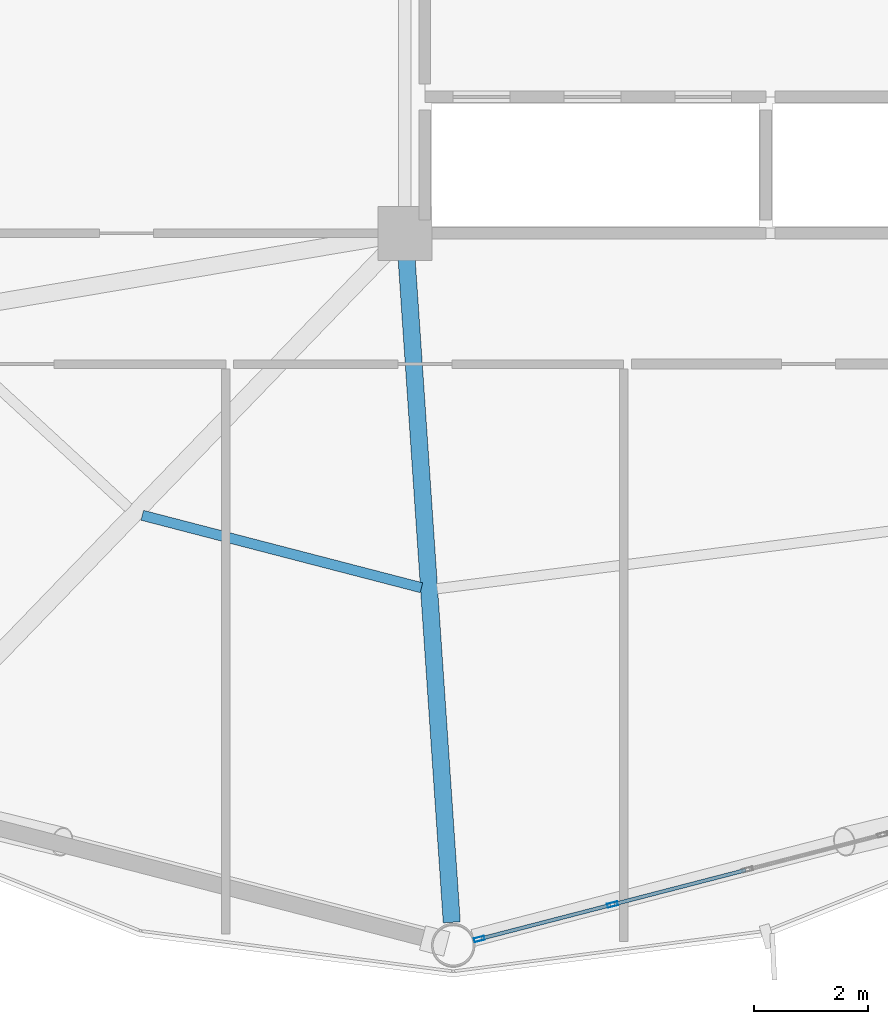
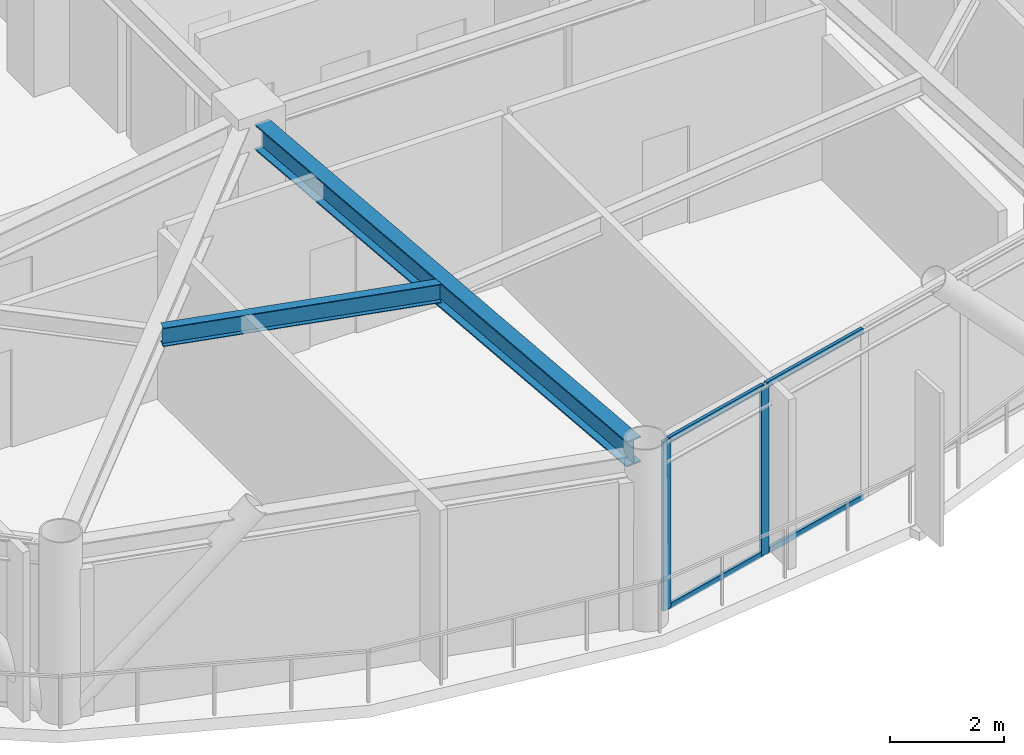
# One storey, part 7 of 25: 6 members, 2 beams, 1 element without a shape of its own.
"""IFC4 building model written with IfcOpenShell, lengths in metres."""

from ifc_helpers import new_model, si_unit, direction, frame, origin, origin_2d, place, context, subcontext, project, spatial, hollow_rectangle, i_section, extrude, material, layer, layer_set, material_profile, profile_set, type_object, element, aggregate, save


model = new_model("IFC4")

# Units and contexts
model_context = context("Model", 3, precision=1e-05, world=origin(), true_north=direction((0.0, 1.0)))
body_context = subcontext(model_context, "Body", "Model", "MODEL_VIEW")
ifc_project = project(units=[si_unit("LENGTHUNIT", "METRE"), si_unit("AREAUNIT", "SQUARE_METRE"), si_unit("VOLUMEUNIT", "CUBIC_METRE"), si_unit("PLANEANGLEUNIT", "RADIAN"), si_unit("MASSUNIT", "GRAM", prefix="KILO")], contexts=[model_context])

# Site, building, storey
site_placement = place(None, origin())
site = spatial("IfcSite", under=ifc_project, at=site_placement, CompositionType="ELEMENT")
building_placement = place(site_placement, origin())
building = spatial("IfcBuilding", under=site, at=building_placement, Name="Varnakorn Sky Granary", CompositionType="ELEMENT")
storey_placement = place(building_placement, frame((0.0, 0.0, 146.10009765625)))
storey = spatial("IfcBuildingStorey", under=building, at=storey_placement, Name="L36", CompositionType="ELEMENT", Elevation=146.10009765625)

# Beams
ifc_material_1 = material(Name="Steel S355JR", Category="steel")
ifc_material_profile_1 = material_profile(ifc_material_1, i_section(OverallWidth=0.300048828125, OverallDepth=0.550048828125, WebThickness=0.014892578125, FlangeThickness=0.029052734375, at=origin_2d()), Name="HE 550 B")
ifc_profile_set_1 = profile_set([ifc_material_profile_1], Name="Steel S355JR")
beam_type_1 = type_object("IfcBeamType", Name="BM-RAD-Z3", PredefinedType="BEAM", material=ifc_profile_set_1)
beam_1_placement = place(storey_placement, frame((-2.321533203125, -7.01904296875, 3.364990234375), z_axis=(0.067908540636, -0.997691550585, 0.0), x_axis=(0.997691550585, 0.067908540636, 0.0)))
element("IfcBeam", 1, at=beam_1_placement, inside=storey, type_object=beam_type_1, Name="Radial Floor Girder RG10 L36", PredefinedType="BEAM", context=body_context, shape_type="SweptSolid", body=[
    extrude(i_section(OverallWidth=0.300048828125, OverallDepth=0.550048828125, WebThickness=0.014892578125, FlangeThickness=0.029052734375, at=origin_2d()), origin(), (0.0, 0.0, 1.0), 11.73095703125),
])
ifc_material_profile_2 = material_profile(ifc_material_1, i_section(OverallWidth=0.179931640625, OverallDepth=0.39990234375, WebThickness=0.008544921875, FlangeThickness=0.013427734375, at=origin_2d()), Name="IPE 400")
ifc_profile_set_2 = profile_set([ifc_material_profile_2], Name="Steel S355JR")
beam_type_2 = type_object("IfcBeamType", Name="BM-SEC-Z3", PredefinedType="BEAM", material=ifc_profile_set_2)
beam_2_placement = place(storey_placement, frame((-6.97021484375, -11.5615234375, 3.43994140625), z_axis=(0.967959224695, -0.251107425872, 0.0), x_axis=(0.251107425872, 0.967959224695, 0.0)))
element("IfcBeam", 2, at=beam_2_placement, inside=storey, type_object=beam_type_2, Name="Secondary Floor Chord Beam MSB09 L36", PredefinedType="BEAM", context=body_context, shape_type="SweptSolid", body=[
    extrude(i_section(OverallWidth=0.179931640625, OverallDepth=0.39990234375, WebThickness=0.008544921875, FlangeThickness=0.013427734375, at=origin_2d()), origin(), (0.0, 0.0, 1.0), 5.07421875),
])

# Curtain wall, members
ifc_material_2 = material(Name="Anodised Bronze Aluminium Alloy 6063-T6", Category="aluminium")
ifc_layer = layer(ifc_material_2, 0.179931640625, Name="Anodised Bronze Aluminium Alloy 6063-T6")
ifc_layer_set = layer_set([ifc_layer], Name="Anodised Bronze Aluminium Alloy 6063-T6")
curtain_wall_type = type_object("IfcCurtainWallType", Name="CW-FRM-2", PredefinedType="USERDEFINED", material=ifc_layer_set)
curtain_wall_placement = place(storey_placement, origin())
curtain_wall = element("IfcCurtainWall", 3, at=curtain_wall_placement, inside=storey, type_object=curtain_wall_type, Name="Unitised Curtain Wall CW4 CW-L36-B10", ObjectType="CURTAIN WALL", PredefinedType="USERDEFINED")
ifc_material_profile_3 = material_profile(ifc_material_2, hollow_rectangle(XDim=0.070068359375, YDim=0.18505859375, WallThickness=0.00390625, at=origin_2d()), Name="ALU MULL 70x185")
ifc_profile_set_3 = profile_set([ifc_material_profile_3], Name="Anodised Bronze Aluminium Alloy 6063-T6")
member_type_1 = type_object("IfcMemberType", Name="CW-FRM-2-MULL", PredefinedType="MULLION", material=ifc_profile_set_3)
member_1_placement = place(storey_placement, frame((1.302734375, -18.41064453125, 0.0), z_axis=(0.0, 0.0, 1.0), x_axis=(0.250559125851, -0.968101298653, 0.0)))
member_1 = element("IfcMember", 4, at=member_1_placement, type_object=member_type_1, Name="CW4 mullion 4", PredefinedType="MULLION", context=body_context, shape_type="SweptSolid", body=[
    extrude(hollow_rectangle(XDim=0.070068359375, YDim=0.18505859375, WallThickness=0.00390625, at=origin_2d()), origin(), (0.0, 0.0, 1.0), 3.639892578125),
])
member_2_placement = place(storey_placement, frame((-1.039306640625, -19.016845703125, 0.0), z_axis=(0.0, 0.0, 1.0), x_axis=(0.250559125851, -0.968101298653, 0.0)))
member_2 = element("IfcMember", 5, at=member_2_placement, type_object=member_type_1, Name="CW4 mullion 5", PredefinedType="MULLION", context=body_context, shape_type="SweptSolid", body=[
    extrude(hollow_rectangle(XDim=0.070068359375, YDim=0.18505859375, WallThickness=0.00390625, at=origin_2d()), origin(), (0.0, 0.0, 1.0), 3.639892578125),
])
ifc_material_profile_4 = material_profile(ifc_material_2, hollow_rectangle(XDim=0.06494140625, YDim=0.1201171875, WallThickness=0.00341796875, at=origin_2d()), Name="ALU TRAN 65x120")
ifc_profile_set_4 = profile_set([ifc_material_profile_4], Name="Anodised Bronze Aluminium Alloy 6063-T6")
member_type_2 = type_object("IfcMemberType", Name="CW-FRM-2-TRAN", PredefinedType="USERDEFINED", material=ifc_profile_set_4)
member_3_placement = place(storey_placement, frame((3.644775390625, -17.804443359375, 0.032470703125), z_axis=(-0.968097247162, -0.250574779332, 0.0), x_axis=(0.250574779332, -0.968097247162, 0.0)))
member_3 = element("IfcMember", 6, at=member_3_placement, type_object=member_type_2, Name="CW4 transom 3.1", ObjectType="TRANSOM", PredefinedType="USERDEFINED", context=body_context, shape_type="SweptSolid", body=[
    extrude(hollow_rectangle(XDim=0.06494140625, YDim=0.1201171875, WallThickness=0.00341796875, at=origin_2d()), origin(), (0.0, 0.0, 1.0), 2.38427734375),
])
member_4_placement = place(storey_placement, frame((3.644775390625, -17.804443359375, 3.607421875), z_axis=(-0.968097247162, -0.250574779332, 0.0), x_axis=(0.250574779332, -0.968097247162, 0.0)))
member_4 = element("IfcMember", 7, at=member_4_placement, type_object=member_type_2, Name="CW4 transom 3.2", ObjectType="TRANSOM", PredefinedType="USERDEFINED", context=body_context, shape_type="SweptSolid", body=[
    extrude(hollow_rectangle(XDim=0.06494140625, YDim=0.1201171875, WallThickness=0.00341796875, at=origin_2d()), origin(), (0.0, 0.0, 1.0), 2.38427734375),
])
member_5_placement = place(storey_placement, frame((1.26904296875, -18.41943359375, 0.032470703125), z_axis=(-0.968104334199, -0.250547396925, 0.0), x_axis=(0.250547396925, -0.968104334199, 0.0)))
member_5 = element("IfcMember", 8, at=member_5_placement, type_object=member_type_2, Name="CW4 transom 4.1", ObjectType="TRANSOM", PredefinedType="USERDEFINED", context=body_context, shape_type="SweptSolid", body=[
    extrude(hollow_rectangle(XDim=0.06494140625, YDim=0.1201171875, WallThickness=0.00341796875, at=origin_2d()), origin(), (0.0, 0.0, 1.0), 2.349365234375),
])
member_6_placement = place(storey_placement, frame((1.26904296875, -18.41943359375, 3.607421875), z_axis=(-0.968104334199, -0.250547396925, 0.0), x_axis=(0.250547396925, -0.968104334199, 0.0)))
member_6 = element("IfcMember", 9, at=member_6_placement, type_object=member_type_2, Name="CW4 transom 4.2", ObjectType="TRANSOM", PredefinedType="USERDEFINED", context=body_context, shape_type="SweptSolid", body=[
    extrude(hollow_rectangle(XDim=0.06494140625, YDim=0.1201171875, WallThickness=0.00341796875, at=origin_2d()), origin(), (0.0, 0.0, 1.0), 2.349365234375),
])
aggregate(curtain_wall, [member_1, member_2, member_3, member_4, member_5, member_6])

save(model, "model.ifc")
